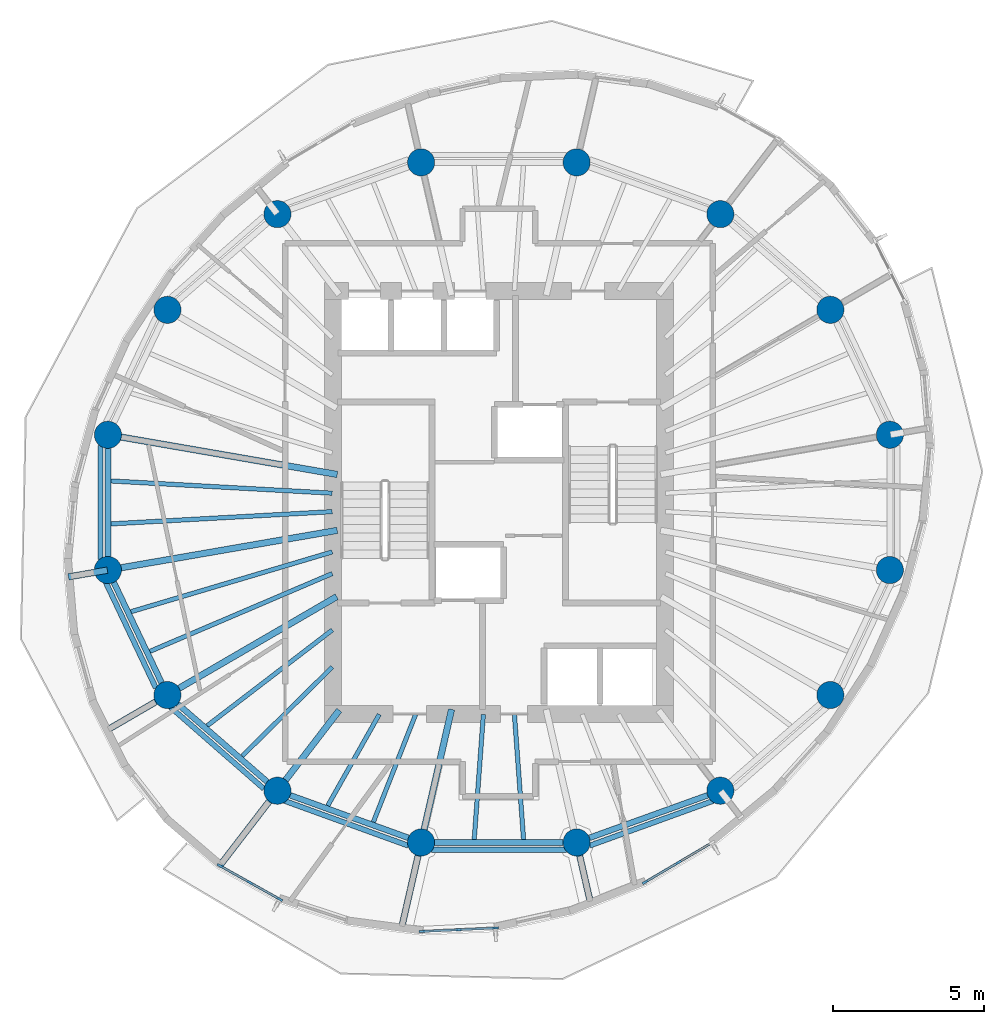
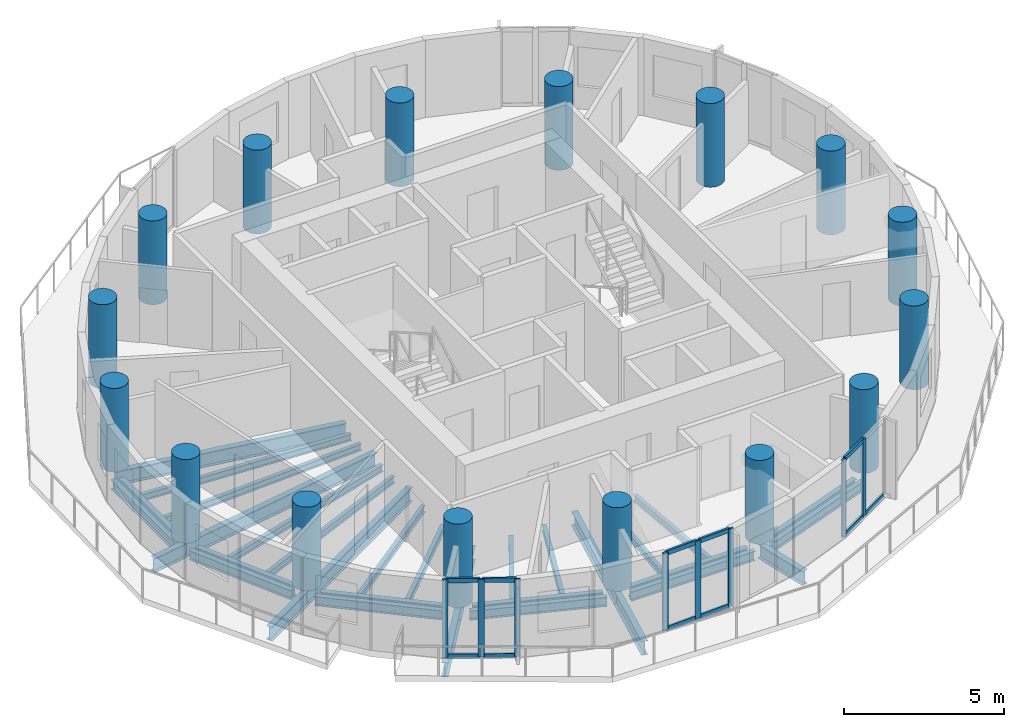
# One storey, part 1 of 10: 32 beams, 19 members, 16 columns, 3 elements without a shape of their own.
"""IFC4 building model written with IfcOpenShell, lengths in metres."""

from ifc_helpers import new_model, si_unit, direction, frame, origin, origin_2d, place, context, subcontext, project, spatial, rectangle, circle, i_section, extrude, material, material_profile, profile_set, type_object, element, aggregate, save


model = new_model("IFC4")

# Units and contexts
model_context = context("Model", 3, precision=1e-05, world=origin(), true_north=direction((0.0, 1.0)))
body_context = subcontext(model_context, "Body", "Model", "MODEL_VIEW")
ifc_project = project(units=[si_unit("LENGTHUNIT", "METRE"), si_unit("AREAUNIT", "SQUARE_METRE"), si_unit("VOLUMEUNIT", "CUBIC_METRE"), si_unit("PLANEANGLEUNIT", "RADIAN"), si_unit("MASSUNIT", "GRAM", prefix="KILO")], contexts=[model_context])

# Site, building, storey
site_placement = place(None, origin())
site = spatial("IfcSite", under=ifc_project, at=site_placement, CompositionType="ELEMENT")
building_placement = place(site_placement, origin())
building = spatial("IfcBuilding", under=site, at=building_placement, Name="Veldorim Arch Residences", CompositionType="ELEMENT")
storey_placement = place(building_placement, frame((0.0, 0.0, 175.840087890625)))
storey = spatial("IfcBuildingStorey", under=building, at=storey_placement, Name="L52", CompositionType="ELEMENT", Elevation=175.840087890625)

# Columns
ifc_material_1 = material(Name="Concrete C50/60", Category="concrete")
ifc_material_profile_1 = material_profile(ifc_material_1, circle(Radius=0.449951171875, at=origin_2d()), Name="RC_CIRC_900")
ifc_profile_set_1 = profile_set([ifc_material_profile_1], Name="Concrete C50/60")
column_type = type_object("IfcColumnType", Name="Structural Column RC_CIRC_900", PredefinedType="COLUMN", material=ifc_profile_set_1)
for number, where, z_axis, x_axis, name in (
    (1, (44.9462890625, 26.239501953125, 0.0), (0.0, 0.0, 1.0), (1.0, 0.0, 0.0), "L52 TC-Z4-01 perimeter column"),
    (2, (42.975341796875, 30.3779296875, 0.0), (0.0, 0.0, 1.0), (1.0, 0.0, 0.0), "L52 TC-Z4-02 perimeter column"),
    (3, (39.33349609375, 33.54541015625, 0.0), (0.0, 0.0, 1.0), (1.0, 0.0, 0.0), "L52 TC-Z4-03 perimeter column"),
    (4, (34.5751953125, 35.259521484375, 0.0), (0.0, 0.0, 1.0), (1.0, 0.0, 0.0), "L52 TC-Z4-04 perimeter column"),
    (5, (29.4248046875, 35.259521484375, 0.0), (0.0, 0.0, 1.0), (1.0, 0.0, 0.0), "L52 TC-Z4-05 perimeter column"),
    (6, (24.66650390625, 33.54541015625, 0.0), (0.0, 0.0, 1.0), (1.0, 0.0, 0.0), "L52 TC-Z4-06 perimeter column"),
    (7, (21.024658203125, 30.3779296875, 0.0), (0.0, 0.0, 1.0), (1.0, 0.0, 0.0), "L52 TC-Z4-07 perimeter column"),
    (8, (19.0537109375, 26.239501953125, 0.0), (0.0, 0.0, 1.0), (1.0, 0.0, 0.0), "L52 TC-Z4-08 perimeter column"),
    (9, (19.0537109375, 21.760498046875, 0.0), (0.0, 0.0, 1.0), (1.0, 0.0, 0.0), "L52 TC-Z4-09 perimeter column"),
    (10, (21.024658203125, 17.6220703125, 0.0), (0.0, 0.0, 1.0), (1.0, 0.0, 0.0), "L52 TC-Z4-10 perimeter column"),
    (11, (24.66650390625, 14.45458984375, 0.0), (0.0, 0.0, 1.0), (1.0, 0.0, 0.0), "L52 TC-Z4-11 perimeter column"),
    (12, (29.4248046875, 12.740478515625, 0.0), (0.0, 0.0, 1.0), (1.0, 0.0, 0.0), "L52 TC-Z4-12 perimeter column"),
    (13, (34.5751953125, 12.740478515625, 0.0), (0.0, 0.0, 1.0), (1.0, 0.0, 0.0), "L52 TC-Z4-13 perimeter column"),
    (14, (39.33349609375, 14.45458984375, 0.0), (0.0, 0.0, 1.0), (1.0, 0.0, 0.0), "L52 TC-Z4-14 perimeter column"),
    (15, (42.975341796875, 17.6220703125, 0.0), (0.0, 0.0, 1.0), (1.0, 0.0, 0.0), "L52 TC-Z4-15 perimeter column"),
    (16, (44.9462890625, 21.760498046875, 0.0), (0.0, 0.0, 1.0), (1.0, 0.0, 0.0), "L52 TC-Z4-16 perimeter column"),
):
    element("IfcColumn", number, at=place(storey_placement, frame(where, z_axis=z_axis, x_axis=x_axis)), inside=storey, type_object=column_type, Name=name, PredefinedType="COLUMN", context=body_context, shape_type="SweptSolid", body=[
        extrude(circle(Radius=0.449951171875, at=origin_2d()), origin(), (0.0, 0.0, 1.0), 3.199951171875),
    ])

# Beams
ifc_material_2 = material(Name="Steel S355", Category="steel")
ifc_material_profile_2 = material_profile(ifc_material_2, i_section(OverallWidth=0.2119140625, OverallDepth=0.54443359375, WebThickness=0.0126953125, FlangeThickness=0.021240234375, at=origin_2d()), Name="UB533x210x122")
ifc_profile_set_2 = profile_set([ifc_material_profile_2], Name="Steel S355")
beam_type_1 = type_object("IfcBeamType", Name="Structural Steel Beam UB533x210x122", PredefinedType="BEAM", material=ifc_profile_set_2)
for number, where, z_axis, x_axis, name in (
    (17, (26.647705078125, 24.92578125, -0.512451171875), (-0.985364974081, 0.170457818401, 0.0), (-0.170457818401, -0.985364974081, 0.0), "L52 radial floor girder 08"),
    (18, (26.647705078125, 23.07421875, -0.512451171875), (-0.985364974081, -0.170457818401, 0.0), (0.170457818401, -0.985364974081, 0.0), "L52 radial floor girder 09"),
):
    element("IfcBeam", number, at=place(storey_placement, frame(where, z_axis=z_axis, x_axis=x_axis)), inside=storey, type_object=beam_type_1, Name=name, PredefinedType="BEAM", context=body_context, shape_type="SweptSolid", body=[
        extrude(i_section(OverallWidth=0.2119140625, OverallDepth=0.54443359375, WebThickness=0.0126953125, FlangeThickness=0.021240234375, at=origin_2d()), origin(), (0.0, 0.0, 1.0), 7.68701171875),
    ])
beam_1_placement = place(storey_placement, frame((19.033935546875, 21.757080078125, -0.512451171875), z_axis=(-0.985349902199, -0.170544921461, 0.0), x_axis=(0.170544921461, -0.985349902199, 0.0)))
element("IfcBeam", 19, at=beam_1_placement, inside=storey, type_object=beam_type_1, Name="L52 radial edge cantilever girder 09", PredefinedType="BEAM", context=body_context, shape_type="SweptSolid", body=[
    extrude(i_section(OverallWidth=0.2119140625, OverallDepth=0.54443359375, WebThickness=0.0126953125, FlangeThickness=0.021240234375, at=origin_2d()), origin(), (0.0, 0.0, 1.0), 1.306884765625),
])
beam_2_placement = place(storey_placement, frame((26.629638671875, 20.87939453125, -0.512451171875), z_axis=(-0.864595736304, -0.502468121142, 0.0), x_axis=(0.502468121142, -0.864595736304, 0.0)))
element("IfcBeam", 20, at=beam_2_placement, inside=storey, type_object=beam_type_1, Name="L52 radial floor girder 10", PredefinedType="BEAM", context=body_context, shape_type="SweptSolid", body=[
    extrude(i_section(OverallWidth=0.2119140625, OverallDepth=0.54443359375, WebThickness=0.0126953125, FlangeThickness=0.021240234375, at=origin_2d()), origin(), (0.0, 0.0, 1.0), 6.462646484375),
])
beam_3_placement = place(storey_placement, frame((21.00732421875, 17.612060546875, -0.512451171875), z_axis=(-0.86459242159, -0.50247382472, 0.0), x_axis=(0.50247382472, -0.86459242159, 0.0)))
element("IfcBeam", 21, at=beam_3_placement, inside=storey, type_object=beam_type_1, Name="L52 radial edge cantilever girder 10", PredefinedType="BEAM", context=body_context, shape_type="SweptSolid", body=[
    extrude(i_section(OverallWidth=0.2119140625, OverallDepth=0.54443359375, WebThickness=0.0126953125, FlangeThickness=0.021240234375, at=origin_2d()), origin(), (0.0, 0.0, 1.0), 2.315185546875),
])
beam_4_placement = place(storey_placement, frame((26.71337890625, 17.118896484375, -0.512451171875), z_axis=(-0.609258442308, -0.792971721108, 0.0), x_axis=(0.792971721108, -0.609258442308, 0.0)))
element("IfcBeam", 22, at=beam_4_placement, inside=storey, type_object=beam_type_1, Name="L52 radial floor girder 11", PredefinedType="BEAM", context=body_context, shape_type="SweptSolid", body=[
    extrude(i_section(OverallWidth=0.2119140625, OverallDepth=0.54443359375, WebThickness=0.0126953125, FlangeThickness=0.021240234375, at=origin_2d()), origin(), (0.0, 0.0, 1.0), 3.339599609375),
])
beam_5_placement = place(storey_placement, frame((24.654296875, 14.438720703125, -0.512451171875), z_axis=(-0.609273468497, -0.792960175914, 0.0), x_axis=(0.792960175914, -0.609273468497, 0.0)))
element("IfcBeam", 23, at=beam_5_placement, inside=storey, type_object=beam_type_1, Name="L52 radial edge cantilever girder 11", PredefinedType="BEAM", context=body_context, shape_type="SweptSolid", body=[
    extrude(i_section(OverallWidth=0.2119140625, OverallDepth=0.54443359375, WebThickness=0.0126953125, FlangeThickness=0.021240234375, at=origin_2d()), origin(), (0.0, 0.0, 1.0), 3.103515625),
])
beam_6_placement = place(storey_placement, frame((30.432373046875, 17.146240234375, -0.512451171875), z_axis=(-0.222952976993, -0.97482920045, 0.0), x_axis=(0.97482920045, -0.222952976993, 0.0)))
element("IfcBeam", 24, at=beam_6_placement, inside=storey, type_object=beam_type_1, Name="L52 radial floor girder 12", PredefinedType="BEAM", context=body_context, shape_type="SweptSolid", body=[
    extrude(i_section(OverallWidth=0.2119140625, OverallDepth=0.54443359375, WebThickness=0.0126953125, FlangeThickness=0.021240234375, at=origin_2d()), origin(), (0.0, 0.0, 1.0), 4.49951171875),
])
beam_7_placement = place(storey_placement, frame((29.42041015625, 12.72119140625, -0.512451171875), z_axis=(-0.222932038034, -0.974833989158, 0.0), x_axis=(0.974833989158, -0.222932038034, 0.0)))
element("IfcBeam", 25, at=beam_7_placement, inside=storey, type_object=beam_type_1, Name="L52 radial edge cantilever girder 12", PredefinedType="BEAM", context=body_context, shape_type="SweptSolid", body=[
    extrude(i_section(OverallWidth=0.2119140625, OverallDepth=0.54443359375, WebThickness=0.0126953125, FlangeThickness=0.021240234375, at=origin_2d()), origin(), (0.0, 0.0, 1.0), 2.9052734375),
])
beam_8_placement = place(storey_placement, frame((34.57958984375, 12.72119140625, -0.512451171875), z_axis=(0.222995587315, -0.974819454073, 0.0), x_axis=(0.974819454073, 0.222995587315, 0.0)))
element("IfcBeam", 26, at=beam_8_placement, inside=storey, type_object=beam_type_1, Name="L52 radial edge cantilever girder 13", PredefinedType="BEAM", context=body_context, shape_type="SweptSolid", body=[
    extrude(i_section(OverallWidth=0.2119140625, OverallDepth=0.54443359375, WebThickness=0.0126953125, FlangeThickness=0.021240234375, at=origin_2d()), origin(), (0.0, 0.0, 1.0), 2.05712890625),
])
ifc_material_3 = material(Name="Steel S355", Category="steel")
ifc_material_profile_3 = material_profile(ifc_material_3, i_section(OverallWidth=0.146484375, OverallDepth=0.256103515625, WebThickness=0.00634765625, FlangeThickness=0.010986328125, at=origin_2d()), Name="UB254x146x37")
ifc_profile_set_3 = profile_set([ifc_material_profile_3], Name="Steel S355")
beam_type_2 = type_object("IfcBeamType", Name="Structural Steel Joist UB254x146x37", PredefinedType="JOIST", material=ifc_profile_set_3)
for number, where, z_axis, x_axis, name in (
    (27, (26.47998046875, 24.3056640625, -0.3681640625), (-0.998472000884, 0.055259962464, 0.0), (-0.055259962464, -0.998472000884, 0.0), "L52 secondary radial floor joist 08-1"),
    (28, (26.47998046875, 23.6943359375, -0.3681640625), (-0.998472000884, -0.055259962464, 0.0), (0.055259962464, -0.998472000884, 0.0), "L52 secondary radial floor joist 08-2"),
):
    element("IfcBeam", number, at=place(storey_placement, frame(where, z_axis=z_axis, x_axis=x_axis)), inside=storey, type_object=beam_type_2, Name=name, PredefinedType="JOIST", context=body_context, shape_type="SweptSolid", body=[
        extrude(i_section(OverallWidth=0.146484375, OverallDepth=0.256103515625, WebThickness=0.00634765625, FlangeThickness=0.010986328125, at=origin_2d()), origin(), (0.0, 0.0, 1.0), 7.33837890625),
    ])
beam_9_placement = place(storey_placement, frame((26.480712890625, 22.360595703125, -0.3681640625), z_axis=(-0.958594432792, -0.284774846889, 0.0), x_axis=(0.284774846889, -0.958594432792, 0.0)))
element("IfcBeam", 29, at=beam_9_placement, inside=storey, type_object=beam_type_2, Name="L52 secondary radial floor joist 09-1", PredefinedType="JOIST", context=body_context, shape_type="SweptSolid", body=[
    extrude(i_section(OverallWidth=0.146484375, OverallDepth=0.256103515625, WebThickness=0.00634765625, FlangeThickness=0.010986328125, at=origin_2d()), origin(), (0.0, 0.0, 1.0), 6.949462890625),
])
beam_10_placement = place(storey_placement, frame((26.481689453125, 21.644287109375, -0.3681640625), z_axis=(-0.919725161652, -0.392562895629, 0.0), x_axis=(0.392562895629, -0.919725161652, 0.0)))
element("IfcBeam", 30, at=beam_10_placement, inside=storey, type_object=beam_type_2, Name="L52 secondary radial floor joist 09-2", PredefinedType="JOIST", context=body_context, shape_type="SweptSolid", body=[
    extrude(i_section(OverallWidth=0.146484375, OverallDepth=0.256103515625, WebThickness=0.00634765625, FlangeThickness=0.010986328125, at=origin_2d()), origin(), (0.0, 0.0, 1.0), 6.5625),
])
beam_11_placement = place(storey_placement, frame((26.484130859375, 19.777099609375, -0.3681640625), z_axis=(-0.794013672216, -0.607899899929, 0.0), x_axis=(0.607899899929, -0.794013672216, 0.0)))
element("IfcBeam", 31, at=beam_11_placement, inside=storey, type_object=beam_type_2, Name="L52 secondary radial floor joist 10-1", PredefinedType="JOIST", context=body_context, shape_type="SweptSolid", body=[
    extrude(i_section(OverallWidth=0.146484375, OverallDepth=0.256103515625, WebThickness=0.00634765625, FlangeThickness=0.010986328125, at=origin_2d()), origin(), (0.0, 0.0, 1.0), 5.217041015625),
])
beam_12_placement = place(storey_placement, frame((26.48583984375, 18.55224609375, -0.3681640625), z_axis=(-0.711396725432, -0.702790650937, 0.0), x_axis=(0.702790650937, -0.711396725432, 0.0)))
element("IfcBeam", 32, at=beam_12_placement, inside=storey, type_object=beam_type_2, Name="L52 secondary radial floor joist 10-2", PredefinedType="JOIST", context=body_context, shape_type="SweptSolid", body=[
    extrude(i_section(OverallWidth=0.146484375, OverallDepth=0.256103515625, WebThickness=0.00634765625, FlangeThickness=0.010986328125, at=origin_2d()), origin(), (0.0, 0.0, 1.0), 4.198486328125),
])
beam_13_placement = place(storey_placement, frame((28.039794921875, 16.982666015625, -0.3681640625), z_axis=(-0.491452469585, -0.870904397818, 0.0), x_axis=(0.870904397818, -0.491452469585, 0.0)))
element("IfcBeam", 33, at=beam_13_placement, inside=storey, type_object=beam_type_2, Name="L52 secondary radial floor joist 11-1", PredefinedType="JOIST", context=body_context, shape_type="SweptSolid", body=[
    extrude(i_section(OverallWidth=0.146484375, OverallDepth=0.256103515625, WebThickness=0.00634765625, FlangeThickness=0.010986328125, at=origin_2d()), origin(), (0.0, 0.0, 1.0), 3.472412109375),
])
beam_14_placement = place(storey_placement, frame((29.24365234375, 16.9814453125, -0.3681640625), z_axis=(-0.365581383042, -0.930779379001, 0.0), x_axis=(0.930779379001, -0.365581383042, 0.0)))
element("IfcBeam", 34, at=beam_14_placement, inside=storey, type_object=beam_type_2, Name="L52 secondary radial floor joist 11-2", PredefinedType="JOIST", context=body_context, shape_type="SweptSolid", body=[
    extrude(i_section(OverallWidth=0.146484375, OverallDepth=0.256103515625, WebThickness=0.00634765625, FlangeThickness=0.010986328125, at=origin_2d()), origin(), (0.0, 0.0, 1.0), 3.83056640625),
])
for number, where, z_axis, x_axis, name in (
    (35, (31.486083984375, 16.97998046875, -0.3681640625), (-0.072985625899, -0.997332992742, 0.0), (0.997332992742, -0.072985625899, 0.0), "L52 secondary radial floor joist 12-1"),
    (36, (32.513916015625, 16.97998046875, -0.3681640625), (0.072985625899, -0.997332992742, 0.0), (0.997332992742, 0.072985625899, 0.0), "L52 secondary radial floor joist 12-2"),
):
    element("IfcBeam", number, at=place(storey_placement, frame(where, z_axis=z_axis, x_axis=x_axis)), inside=storey, type_object=beam_type_2, Name=name, PredefinedType="JOIST", context=body_context, shape_type="SweptSolid", body=[
        extrude(i_section(OverallWidth=0.146484375, OverallDepth=0.256103515625, WebThickness=0.00634765625, FlangeThickness=0.010986328125, at=origin_2d()), origin(), (0.0, 0.0, 1.0), 4.151123046875),
    ])
ifc_material_4 = material(Name="Steel S355", Category="steel")
ifc_material_profile_4 = material_profile(ifc_material_4, i_section(OverallWidth=0.172119140625, OverallDepth=0.35791015625, WebThickness=0.008056640625, FlangeThickness=0.012939453125, at=origin_2d()), Name="UB356x171x57")
ifc_profile_set_4 = profile_set([ifc_material_profile_4], Name="Steel S355")
beam_type_3 = type_object("IfcBeamType", Name="Structural Steel Spandrel UB356x171x57", PredefinedType="SPANDREL", material=ifc_profile_set_4)
beam_15_placement = place(storey_placement, frame((18.809814453125, 25.8857421875, -0.439208984375), z_axis=(0.0, -1.0, 0.0), x_axis=(1.0, 0.0, 0.0)))
element("IfcBeam", 37, at=beam_15_placement, inside=storey, type_object=beam_type_3, Name="L52 perimeter chord spandrel beam 08", PredefinedType="SPANDREL", context=body_context, shape_type="SweptSolid", body=[
    extrude(i_section(OverallWidth=0.172119140625, OverallDepth=0.35791015625, WebThickness=0.008056640625, FlangeThickness=0.012939453125, at=origin_2d()), origin(), (0.0, 0.0, 1.0), 3.771484375),
])
beam_16_placement = place(storey_placement, frame((18.9794921875, 21.3603515625, -0.439208984375), z_axis=(0.428408308939, -0.903585259304, 0.0), x_axis=(0.903585259304, 0.428408308939, 0.0)))
element("IfcBeam", 38, at=beam_16_placement, inside=storey, type_object=beam_type_3, Name="L52 perimeter chord spandrel beam 09", PredefinedType="SPANDREL", context=body_context, shape_type="SweptSolid", body=[
    extrude(i_section(OverallWidth=0.172119140625, OverallDepth=0.35791015625, WebThickness=0.008056640625, FlangeThickness=0.012939453125, at=origin_2d()), origin(), (0.0, 0.0, 1.0), 3.878662109375),
])
beam_17_placement = place(storey_placement, frame((21.108642578125, 17.237060546875, -0.439208984375), z_axis=(0.752847646119, -0.6581948205, 0.0), x_axis=(0.6581948205, 0.752847646119, 0.0)))
element("IfcBeam", 39, at=beam_17_placement, inside=storey, type_object=beam_type_3, Name="L52 perimeter chord spandrel beam 10", PredefinedType="SPANDREL", context=body_context, shape_type="SweptSolid", body=[
    extrude(i_section(OverallWidth=0.172119140625, OverallDepth=0.35791015625, WebThickness=0.008056640625, FlangeThickness=0.012939453125, at=origin_2d()), origin(), (0.0, 0.0, 1.0), 4.12939453125),
])
beam_18_placement = place(storey_placement, frame((24.887939453125, 14.12353515625, -0.439208984375), z_axis=(0.940164695555, -0.340720332871, 0.0), x_axis=(0.340720332871, 0.940164695555, 0.0)))
element("IfcBeam", 40, at=beam_18_placement, inside=storey, type_object=beam_type_3, Name="L52 perimeter chord spandrel beam 11", PredefinedType="SPANDREL", context=body_context, shape_type="SweptSolid", body=[
    extrude(i_section(OverallWidth=0.172119140625, OverallDepth=0.35791015625, WebThickness=0.008056640625, FlangeThickness=0.012939453125, at=origin_2d()), origin(), (0.0, 0.0, 1.0), 4.370849609375),
])
beam_19_placement = place(storey_placement, frame((29.765625, 12.499267578125, -0.439208984375), z_axis=(1.0, 0.0, 0.0), x_axis=(0.0, 1.0, 0.0)))
element("IfcBeam", 41, at=beam_19_placement, inside=storey, type_object=beam_type_3, Name="L52 perimeter chord spandrel beam 12", PredefinedType="SPANDREL", context=body_context, shape_type="SweptSolid", body=[
    extrude(i_section(OverallWidth=0.172119140625, OverallDepth=0.35791015625, WebThickness=0.008056640625, FlangeThickness=0.012939453125, at=origin_2d()), origin(), (0.0, 0.0, 1.0), 4.46875),
])
beam_20_placement = place(storey_placement, frame((35.002685546875, 12.63427734375, -0.439208984375), z_axis=(0.940164695555, 0.340720332871, 0.0), x_axis=(-0.340720332871, 0.940164695555, 0.0)))
element("IfcBeam", 42, at=beam_20_placement, inside=storey, type_object=beam_type_3, Name="L52 perimeter chord spandrel beam 13", PredefinedType="SPANDREL", context=body_context, shape_type="SweptSolid", body=[
    extrude(i_section(OverallWidth=0.172119140625, OverallDepth=0.35791015625, WebThickness=0.008056640625, FlangeThickness=0.012939453125, at=origin_2d()), origin(), (0.0, 0.0, 1.0), 4.370849609375),
])
ifc_material_5 = material(Name="Steel S355", Category="steel")
ifc_material_profile_5 = material_profile(ifc_material_5, i_section(OverallWidth=0.19140625, OverallDepth=0.4599609375, WebThickness=0.010009765625, FlangeThickness=0.01611328125, at=origin_2d()), Name="UB457x191x82")
ifc_profile_set_5 = profile_set([ifc_material_profile_5], Name="Steel S355")
beam_type_4 = type_object("IfcBeamType", Name="Structural Steel Spandrel UB457x191x82", PredefinedType="SPANDREL", material=ifc_profile_set_5)
beam_21_placement = place(storey_placement, frame((19.0537109375, 25.78955078125, -0.469970703125), z_axis=(0.0, -1.0, 0.0), x_axis=(1.0, 0.0, 0.0)))
element("IfcBeam", 43, at=beam_21_placement, inside=storey, type_object=beam_type_4, Name="L52 perimeter ring tie beam 08", PredefinedType="SPANDREL", context=body_context, shape_type="SweptSolid", body=[
    extrude(i_section(OverallWidth=0.19140625, OverallDepth=0.4599609375, WebThickness=0.010009765625, FlangeThickness=0.01611328125, at=origin_2d()), origin(), (0.0, 0.0, 1.0), 3.5791015625),
])
beam_22_placement = place(storey_placement, frame((19.2470703125, 21.35400390625, -0.469970703125), z_axis=(0.430005613988, -0.902826213586, 0.0), x_axis=(0.902826213586, 0.430005613988, 0.0)))
element("IfcBeam", 44, at=beam_22_placement, inside=storey, type_object=beam_type_4, Name="L52 perimeter ring tie beam 09", PredefinedType="SPANDREL", context=body_context, shape_type="SweptSolid", body=[
    extrude(i_section(OverallWidth=0.19140625, OverallDepth=0.4599609375, WebThickness=0.010009765625, FlangeThickness=0.01611328125, at=origin_2d()), origin(), (0.0, 0.0, 1.0), 3.68359375),
])
beam_23_placement = place(storey_placement, frame((21.364013671875, 17.326904296875, -0.469970703125), z_axis=(0.754545285701, -0.656247980436, 0.0), x_axis=(0.656247980436, 0.754545285701, 0.0)))
element("IfcBeam", 45, at=beam_23_placement, inside=storey, type_object=beam_type_4, Name="L52 perimeter ring tie beam 10", PredefinedType="SPANDREL", context=body_context, shape_type="SweptSolid", body=[
    extrude(i_section(OverallWidth=0.19140625, OverallDepth=0.4599609375, WebThickness=0.010009765625, FlangeThickness=0.01611328125, at=origin_2d()), origin(), (0.0, 0.0, 1.0), 3.9267578125),
])
beam_24_placement = place(storey_placement, frame((25.08984375, 14.30224609375, -0.469970703125), z_axis=(0.940811035395, -0.338931550137, 0.0), x_axis=(0.338931550137, 0.940811035395, 0.0)))
element("IfcBeam", 46, at=beam_24_placement, inside=storey, type_object=beam_type_4, Name="L52 perimeter ring tie beam 11", PredefinedType="SPANDREL", context=body_context, shape_type="SweptSolid", body=[
    extrude(i_section(OverallWidth=0.19140625, OverallDepth=0.4599609375, WebThickness=0.010009765625, FlangeThickness=0.01611328125, at=origin_2d()), origin(), (0.0, 0.0, 1.0), 4.15771484375),
])
beam_25_placement = place(storey_placement, frame((29.874755859375, 12.740478515625, -0.469970703125), z_axis=(1.0, 0.0, 0.0), x_axis=(0.0, 1.0, 0.0)))
element("IfcBeam", 47, at=beam_25_placement, inside=storey, type_object=beam_type_4, Name="L52 perimeter ring tie beam 12", PredefinedType="SPANDREL", context=body_context, shape_type="SweptSolid", body=[
    extrude(i_section(OverallWidth=0.19140625, OverallDepth=0.4599609375, WebThickness=0.010009765625, FlangeThickness=0.01611328125, at=origin_2d()), origin(), (0.0, 0.0, 1.0), 4.25048828125),
])
beam_26_placement = place(storey_placement, frame((34.99853515625, 12.89306640625, -0.469970703125), z_axis=(0.940811035395, 0.338931550137, 0.0), x_axis=(-0.338931550137, 0.940811035395, 0.0)))
element("IfcBeam", 48, at=beam_26_placement, inside=storey, type_object=beam_type_4, Name="L52 perimeter ring tie beam 13", PredefinedType="SPANDREL", context=body_context, shape_type="SweptSolid", body=[
    extrude(i_section(OverallWidth=0.19140625, OverallDepth=0.4599609375, WebThickness=0.010009765625, FlangeThickness=0.01611328125, at=origin_2d()), origin(), (0.0, 0.0, 1.0), 4.15771484375),
])

# Curtain wall, members
ifc_material_6 = material(Name="Aluminium", Category="aluminium")
curtain_wall_type = type_object("IfcCurtainWallType", Name="Zone 4 High-Altitude Unitised Curtain Wall", PredefinedType="NOTDEFINED", material=ifc_material_6)
curtain_wall_1_placement = place(storey_placement, origin())
curtain_wall_1 = element("IfcCurtainWall", 49, at=curtain_wall_1_placement, inside=storey, type_object=curtain_wall_type, Name="L52 unitised curtain wall bay 20", PredefinedType="NOTDEFINED")
ifc_material_7 = material(Name="Aluminium", Category="aluminium")
ifc_material_profile_6 = material_profile(ifc_material_7, rectangle(XDim=0.074951171875, YDim=0.195068359375, at=origin_2d()), Name="ALU_MUL_75x195")
ifc_profile_set_6 = profile_set([ifc_material_profile_6], Name="Aluminium")
member_type_1 = type_object("IfcMemberType", Name="Zone 4 High-Altitude Unitised Curtain Wall Mullion 75x195", PredefinedType="MULLION", material=ifc_profile_set_6)
member_1_placement = place(storey_placement, frame((24.74609375, 10.85986328125, 0.0), z_axis=(0.0, 0.0, 1.0), x_axis=(-0.487736356175, -0.872990977539, 0.0)))
member_1 = element("IfcMember", 50, at=member_1_placement, type_object=member_type_1, Name="CW-Z4 mullion 1", PredefinedType="MULLION", context=body_context, shape_type="SweptSolid", body=[
    extrude(rectangle(XDim=0.074951171875, YDim=0.195068359375, at=origin_2d()), origin(), (0.0, 0.0, 1.0), 2.9599609375),
])
member_2_placement = place(storey_placement, frame((23.75439453125, 11.413818359375, 0.0), z_axis=(0.0, 0.0, 1.0), x_axis=(-0.487736356175, -0.872990977539, 0.0)))
member_2 = element("IfcMember", 51, at=member_2_placement, type_object=member_type_1, Name="CW-Z4 mullion 2", PredefinedType="MULLION", context=body_context, shape_type="SweptSolid", body=[
    extrude(rectangle(XDim=0.074951171875, YDim=0.195068359375, at=origin_2d()), origin(), (0.0, 0.0, 1.0), 2.9599609375),
])
member_3_placement = place(storey_placement, frame((22.762939453125, 11.9677734375, 0.0), z_axis=(0.0, 0.0, 1.0), x_axis=(-0.487736356175, -0.872990977539, 0.0)))
member_3 = element("IfcMember", 52, at=member_3_placement, type_object=member_type_1, Name="CW-Z4 mullion 3", PredefinedType="MULLION", context=body_context, shape_type="SweptSolid", body=[
    extrude(rectangle(XDim=0.074951171875, YDim=0.195068359375, at=origin_2d()), origin(), (0.0, 0.0, 1.0), 2.9599609375),
])

curtain_wall_2_placement = place(storey_placement, origin())
curtain_wall_2 = element("IfcCurtainWall", 53, at=curtain_wall_2_placement, inside=storey, type_object=curtain_wall_type, Name="L52 unitised curtain wall bay 23", PredefinedType="NOTDEFINED")
member_4_placement = place(storey_placement, frame((31.883544921875, 9.90771484375, 0.0), z_axis=(0.0, 0.0, 1.0), x_axis=(0.046678409438, -0.998909968962, 0.0)))
member_4 = element("IfcMember", 54, at=member_4_placement, type_object=member_type_1, Name="CW-Z4 mullion 1", PredefinedType="MULLION", context=body_context, shape_type="SweptSolid", body=[
    extrude(rectangle(XDim=0.074951171875, YDim=0.195068359375, at=origin_2d()), origin(), (0.0, 0.0, 1.0), 2.9599609375),
])
member_5_placement = place(storey_placement, frame((30.671142578125, 9.85107421875, 0.0), z_axis=(0.0, 0.0, 1.0), x_axis=(0.046678409438, -0.998909968962, 0.0)))
member_5 = element("IfcMember", 55, at=member_5_placement, type_object=member_type_1, Name="CW-Z4 mullion 2", PredefinedType="MULLION", context=body_context, shape_type="SweptSolid", body=[
    extrude(rectangle(XDim=0.074951171875, YDim=0.195068359375, at=origin_2d()), origin(), (0.0, 0.0, 1.0), 2.9599609375),
])
member_6_placement = place(storey_placement, frame((29.458984375, 9.79443359375, 0.0), z_axis=(0.0, 0.0, 1.0), x_axis=(0.046678409438, -0.998909968962, 0.0)))
member_6 = element("IfcMember", 56, at=member_6_placement, type_object=member_type_1, Name="CW-Z4 mullion 3", PredefinedType="MULLION", context=body_context, shape_type="SweptSolid", body=[
    extrude(rectangle(XDim=0.074951171875, YDim=0.195068359375, at=origin_2d()), origin(), (0.0, 0.0, 1.0), 2.9599609375),
])

curtain_wall_3_placement = place(storey_placement, origin())
curtain_wall_3 = element("IfcCurtainWall", 57, at=curtain_wall_3_placement, inside=storey, type_object=curtain_wall_type, Name="L52 unitised curtain wall bay 26", PredefinedType="NOTDEFINED")
member_7_placement = place(storey_placement, frame((37.949462890625, 12.080078125, 0.0), z_axis=(0.0, 0.0, 1.0), x_axis=(0.508514317139, -0.861053534494, 0.0)))
member_7 = element("IfcMember", 58, at=member_7_placement, type_object=member_type_1, Name="CW-Z4 mullion 2", PredefinedType="MULLION", context=body_context, shape_type="SweptSolid", body=[
    extrude(rectangle(XDim=0.074951171875, YDim=0.195068359375, at=origin_2d()), origin(), (0.0, 0.0, 1.0), 2.9599609375),
])
member_8_placement = place(storey_placement, frame((36.841552734375, 11.42578125, 0.0), z_axis=(0.0, 0.0, 1.0), x_axis=(0.508514317139, -0.861053534494, 0.0)))
member_8 = element("IfcMember", 59, at=member_8_placement, type_object=member_type_1, Name="CW-Z4 mullion 3", PredefinedType="MULLION", context=body_context, shape_type="SweptSolid", body=[
    extrude(rectangle(XDim=0.074951171875, YDim=0.195068359375, at=origin_2d()), origin(), (0.0, 0.0, 1.0), 2.9599609375),
])

# Member
ifc_material_8 = material(Name="Aluminium", Category="aluminium")
ifc_material_profile_7 = material_profile(ifc_material_8, rectangle(XDim=0.074951171875, YDim=0.1650390625, at=origin_2d()), Name="ALU_TRN_75x165")
ifc_profile_set_7 = profile_set([ifc_material_profile_7], Name="Aluminium")
member_type_2 = type_object("IfcMemberType", Name="Zone 4 High-Altitude Unitised Curtain Wall Transom 75x165", PredefinedType="USERDEFINED", material=ifc_profile_set_7)
member_9_placement = place(storey_placement, frame((24.71337890625, 10.878173828125, 0.037353515625), z_axis=(-0.873058743118, 0.487615043929, 0.0), x_axis=(-0.487615043929, -0.873058743118, 0.0)))
member_9 = element("IfcMember", 60, at=member_9_placement, type_object=member_type_2, Name="CW-Z4 transom 1.1", ObjectType="TRANSOM", PredefinedType="USERDEFINED", context=body_context, shape_type="SweptSolid", body=[
    extrude(rectangle(XDim=0.074951171875, YDim=0.1650390625, at=origin_2d()), origin(), (0.0, 0.0, 1.0), 1.06103515625),
])

member_10_placement = place(storey_placement, frame((24.71337890625, 10.878173828125, 2.92236328125), z_axis=(-0.873058743118, 0.487615043929, 0.0), x_axis=(-0.487615043929, -0.873058743118, 0.0)))
member_10 = element("IfcMember", 61, at=member_10_placement, type_object=member_type_2, Name="CW-Z4 transom 1.2", ObjectType="TRANSOM", PredefinedType="USERDEFINED", context=body_context, shape_type="SweptSolid", body=[
    extrude(rectangle(XDim=0.074951171875, YDim=0.1650390625, at=origin_2d()), origin(), (0.0, 0.0, 1.0), 1.06103515625),
])

member_11_placement = place(storey_placement, frame((23.7216796875, 11.43212890625, 0.037353515625), z_axis=(-0.87300401239, 0.487713024586, 0.0), x_axis=(-0.487713024586, -0.87300401239, 0.0)))
member_11 = element("IfcMember", 62, at=member_11_placement, type_object=member_type_2, Name="CW-Z4 transom 2.1", ObjectType="TRANSOM", PredefinedType="USERDEFINED", context=body_context, shape_type="SweptSolid", body=[
    extrude(rectangle(XDim=0.074951171875, YDim=0.1650390625, at=origin_2d()), origin(), (0.0, 0.0, 1.0), 1.060791015625),
])

member_12_placement = place(storey_placement, frame((23.7216796875, 11.43212890625, 2.92236328125), z_axis=(-0.87300401239, 0.487713024586, 0.0), x_axis=(-0.487713024586, -0.87300401239, 0.0)))
member_12 = element("IfcMember", 63, at=member_12_placement, type_object=member_type_2, Name="CW-Z4 transom 2.2", ObjectType="TRANSOM", PredefinedType="USERDEFINED", context=body_context, shape_type="SweptSolid", body=[
    extrude(rectangle(XDim=0.074951171875, YDim=0.1650390625, at=origin_2d()), origin(), (0.0, 0.0, 1.0), 1.060791015625),
])

aggregate(curtain_wall_1, [member_1, member_2, member_3, member_9, member_10, member_11, member_12])

member_13_placement = place(storey_placement, frame((31.84619140625, 9.906005859375, 0.037353515625), z_axis=(-0.998907088117, -0.046740018289, 0.0), x_axis=(0.046740018289, -0.998907088117, 0.0)))
member_13 = element("IfcMember", 64, at=member_13_placement, type_object=member_type_2, Name="CW-Z4 transom 1.1", ObjectType="TRANSOM", PredefinedType="USERDEFINED", context=body_context, shape_type="SweptSolid", body=[
    extrude(rectangle(XDim=0.074951171875, YDim=0.1650390625, at=origin_2d()), origin(), (0.0, 0.0, 1.0), 1.138671875),
])

member_14_placement = place(storey_placement, frame((31.84619140625, 9.906005859375, 2.92236328125), z_axis=(-0.998907088117, -0.046740018289, 0.0), x_axis=(0.046740018289, -0.998907088117, 0.0)))
member_14 = element("IfcMember", 65, at=member_14_placement, type_object=member_type_2, Name="CW-Z4 transom 1.2", ObjectType="TRANSOM", PredefinedType="USERDEFINED", context=body_context, shape_type="SweptSolid", body=[
    extrude(rectangle(XDim=0.074951171875, YDim=0.1650390625, at=origin_2d()), origin(), (0.0, 0.0, 1.0), 1.138671875),
])

member_15_placement = place(storey_placement, frame((30.6337890625, 9.849365234375, 0.037353515625), z_axis=(-0.998907088117, -0.046740018289, 0.0), x_axis=(0.046740018289, -0.998907088117, 0.0)))
member_15 = element("IfcMember", 66, at=member_15_placement, type_object=member_type_2, Name="CW-Z4 transom 2.1", ObjectType="TRANSOM", PredefinedType="USERDEFINED", context=body_context, shape_type="SweptSolid", body=[
    extrude(rectangle(XDim=0.074951171875, YDim=0.1650390625, at=origin_2d()), origin(), (0.0, 0.0, 1.0), 1.138671875),
])

member_16_placement = place(storey_placement, frame((30.6337890625, 9.849365234375, 2.92236328125), z_axis=(-0.998907088117, -0.046740018289, 0.0), x_axis=(0.046740018289, -0.998907088117, 0.0)))
member_16 = element("IfcMember", 67, at=member_16_placement, type_object=member_type_2, Name="CW-Z4 transom 2.2", ObjectType="TRANSOM", PredefinedType="USERDEFINED", context=body_context, shape_type="SweptSolid", body=[
    extrude(rectangle(XDim=0.074951171875, YDim=0.1650390625, at=origin_2d()), origin(), (0.0, 0.0, 1.0), 1.138671875),
])

aggregate(curtain_wall_2, [member_4, member_5, member_6, member_13, member_14, member_15, member_16])

member_17_placement = place(storey_placement, frame((39.025146484375, 12.71533203125, 0.037353515625), z_axis=(-0.861062864329, -0.50849851885, 0.0), x_axis=(0.50849851885, -0.861062864329, 0.0)))
member_17 = element("IfcMember", 68, at=member_17_placement, type_object=member_type_2, Name="CW-Z4 transom 1.1", ObjectType="TRANSOM", PredefinedType="USERDEFINED", context=body_context, shape_type="SweptSolid", body=[
    extrude(rectangle(XDim=0.074951171875, YDim=0.1650390625, at=origin_2d()), origin(), (0.0, 0.0, 1.0), 1.2119140625),
])

member_18_placement = place(storey_placement, frame((37.917236328125, 12.06103515625, 0.037353515625), z_axis=(-0.861062864329, -0.50849851885, 0.0), x_axis=(0.50849851885, -0.861062864329, 0.0)))
member_18 = element("IfcMember", 69, at=member_18_placement, type_object=member_type_2, Name="CW-Z4 transom 2.1", ObjectType="TRANSOM", PredefinedType="USERDEFINED", context=body_context, shape_type="SweptSolid", body=[
    extrude(rectangle(XDim=0.074951171875, YDim=0.1650390625, at=origin_2d()), origin(), (0.0, 0.0, 1.0), 1.2119140625),
])

member_19_placement = place(storey_placement, frame((37.917236328125, 12.06103515625, 2.92236328125), z_axis=(-0.861062864329, -0.50849851885, 0.0), x_axis=(0.50849851885, -0.861062864329, 0.0)))
member_19 = element("IfcMember", 70, at=member_19_placement, type_object=member_type_2, Name="CW-Z4 transom 2.2", ObjectType="TRANSOM", PredefinedType="USERDEFINED", context=body_context, shape_type="SweptSolid", body=[
    extrude(rectangle(XDim=0.074951171875, YDim=0.1650390625, at=origin_2d()), origin(), (0.0, 0.0, 1.0), 1.2119140625),
])

aggregate(curtain_wall_3, [member_7, member_8, member_17, member_18, member_19])

save(model, "model.ifc")
